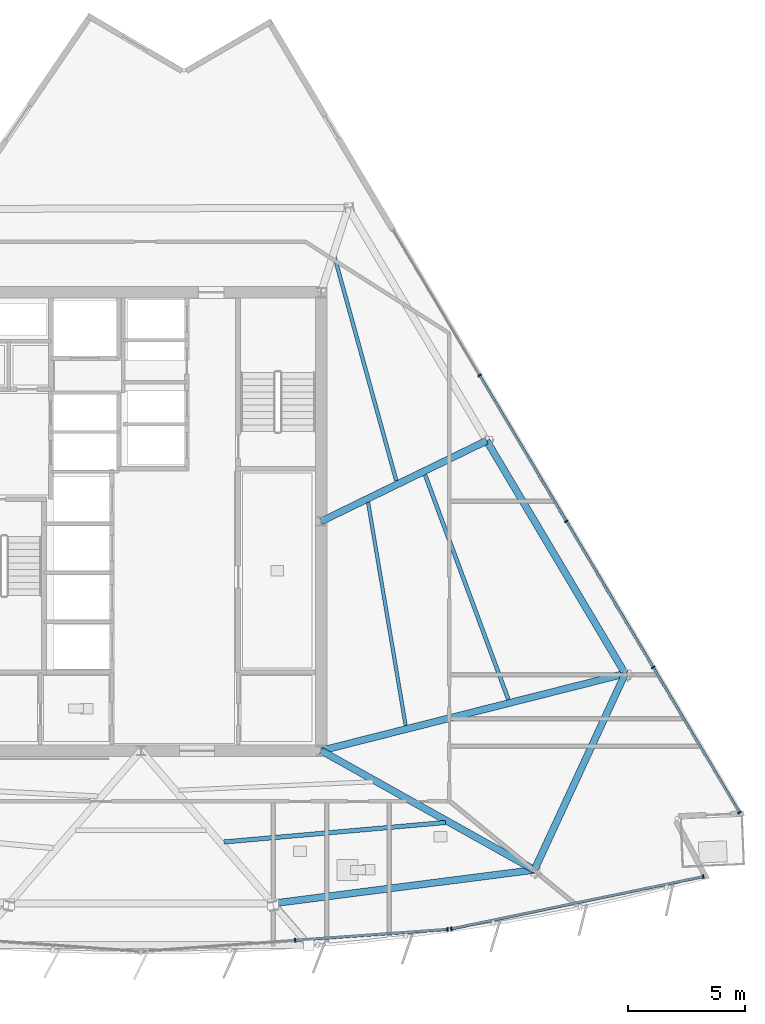
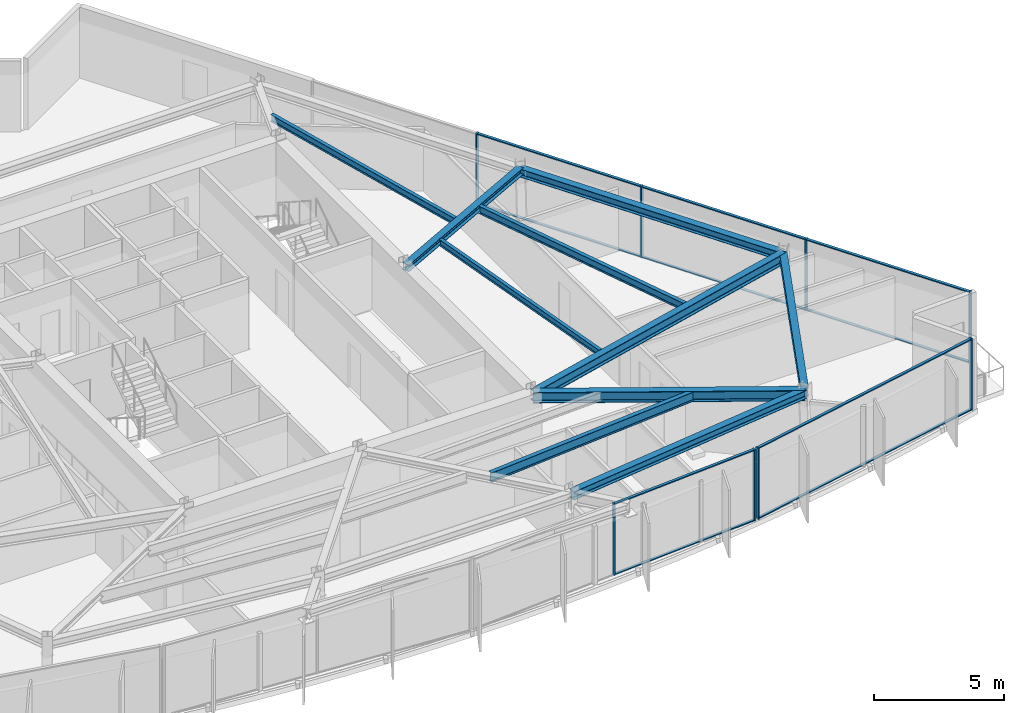
# One storey, part 5 of 15: 18 members, 10 beams, 3 elements without a shape of their own.
"""IFC4 building model written with IfcOpenShell, lengths in metres."""

from ifc_helpers import new_model, si_unit, direction, frame, origin, origin_2d, place, context, subcontext, project, spatial, rectangle, i_section, extrude, material, material_profile, profile_set, type_object, element, aggregate, save


model = new_model("IFC4")

# Units and contexts
model_context = context("Model", 3, precision=1e-05, world=origin(), true_north=direction((0.0, 1.0)))
body_context = subcontext(model_context, "Body", "Model", "MODEL_VIEW")
ifc_project = project(units=[si_unit("LENGTHUNIT", "METRE"), si_unit("AREAUNIT", "SQUARE_METRE"), si_unit("VOLUMEUNIT", "CUBIC_METRE"), si_unit("PLANEANGLEUNIT", "RADIAN"), si_unit("MASSUNIT", "GRAM", prefix="KILO")], contexts=[model_context])

# Site, building, storey
site_placement = place(None, origin())
site = spatial("IfcSite", under=ifc_project, at=site_placement, CompositionType="ELEMENT")
building_placement = place(site_placement, origin())
building = spatial("IfcBuilding", under=site, at=building_placement, Name="Savorim Split Tower", CompositionType="ELEMENT")
storey_placement = place(building_placement, frame((0.0, 0.0, 201.89990234375)))
storey = spatial("IfcBuildingStorey", under=building, at=storey_placement, Name="L53", CompositionType="ELEMENT", Elevation=201.89990234375)

# Beams
ifc_material_1 = material(Name="Steel S355", Category="steel")
ifc_material_profile_1 = material_profile(ifc_material_1, i_section(OverallWidth=0.14990234375, OverallDepth=0.300048828125, WebThickness=0.007080078125, FlangeThickness=0.0107421875, FilletRadius=0.014892578125, at=origin_2d()), Name="IPE 300")
ifc_profile_set_1 = profile_set([ifc_material_profile_1], Name="Steel S355")
beam_type_1 = type_object("IfcBeamType", Name="BM-JST-IPE300", PredefinedType="JOIST", material=ifc_profile_set_1)
beam_1_placement = place(storey_placement, frame((11.314208984375, -8.32080078125, 3.2001953125), z_axis=(-0.166111233531, 0.986107021623, 0.0), x_axis=(-0.986107021623, -0.166111233531, 0.0)))
element("IfcBeam", 1, at=beam_1_placement, inside=storey, type_object=beam_type_1, Name="L53 Secondary Floor Joist JS-08", PredefinedType="JOIST", context=body_context, shape_type="SweptSolid", body=[
    extrude(i_section(OverallWidth=0.14990234375, OverallDepth=0.300048828125, WebThickness=0.007080078125, FlangeThickness=0.0107421875, FilletRadius=0.014892578125, at=origin_2d()), origin(), (0.0, 0.0, 1.0), 9.66357421875),
])
ifc_material_profile_2 = material_profile(ifc_material_1, i_section(OverallWidth=0.159912109375, OverallDepth=0.330078125, WebThickness=0.007568359375, FlangeThickness=0.011474609375, FilletRadius=0.01806640625, at=origin_2d()), Name="IPE 330")
ifc_profile_set_2 = profile_set([ifc_material_profile_2], Name="Steel S355")
beam_type_2 = type_object("IfcBeamType", Name="BM-JST-IPE330", PredefinedType="JOIST", material=ifc_profile_set_2)
beam_2_placement = place(storey_placement, frame((10.914306640625, 2.1416015625, 3.18505859375), z_axis=(-0.265974726867, 0.963980002214, 0.0), x_axis=(-0.963980002214, -0.265974726867, 0.0)))
element("IfcBeam", 2, at=beam_2_placement, inside=storey, type_object=beam_type_2, Name="L53 Secondary Floor Joist JS-07", PredefinedType="JOIST", context=body_context, shape_type="SweptSolid", body=[
    extrude(i_section(OverallWidth=0.159912109375, OverallDepth=0.330078125, WebThickness=0.007568359375, FlangeThickness=0.011474609375, FilletRadius=0.01806640625, at=origin_2d()), origin(), (0.0, 0.0, 1.0), 9.922607421875),
])
ifc_material_profile_3 = material_profile(ifc_material_1, i_section(OverallWidth=0.169921875, OverallDepth=0.360107421875, WebThickness=0.008056640625, FlangeThickness=0.0126953125, FilletRadius=0.01806640625, at=origin_2d()), Name="IPE 360")
ifc_profile_set_3 = profile_set([ifc_material_profile_3], Name="Steel S355")
beam_type_3 = type_object("IfcBeamType", Name="BM-JST-IPE360", PredefinedType="JOIST", material=ifc_profile_set_3)
beam_3_placement = place(storey_placement, frame((15.705810546875, -7.209716796875, 3.170166015625), z_axis=(-0.347763210291, 0.937582396149, 0.0), x_axis=(-0.937582396149, -0.347763210291, 0.0)))
element("IfcBeam", 3, at=beam_3_placement, inside=storey, type_object=beam_type_3, Name="L53 Secondary Floor Joist JS-06", PredefinedType="JOIST", context=body_context, shape_type="SweptSolid", body=[
    extrude(i_section(OverallWidth=0.169921875, OverallDepth=0.360107421875, WebThickness=0.008056640625, FlangeThickness=0.0126953125, FilletRadius=0.01806640625, at=origin_2d()), origin(), (0.0, 0.0, 1.0), 10.238525390625),
])
ifc_material_profile_4 = material_profile(ifc_material_1, i_section(OverallWidth=0.18994140625, OverallDepth=0.449951171875, WebThickness=0.009521484375, FlangeThickness=0.0146484375, FilletRadius=0.02099609375, at=origin_2d()), Name="IPE 450")
ifc_profile_set_4 = profile_set([ifc_material_profile_4], Name="Steel S355")
beam_type_4 = type_object("IfcBeamType", Name="BM-JST-IPE450", PredefinedType="JOIST", material=ifc_profile_set_4)
beam_4_placement = place(storey_placement, frame((3.541748046875, -13.30712890625, 3.125), z_axis=(0.996149860063, 0.087666734263, 0.0), x_axis=(-0.087666734263, 0.996149860063, 0.0)))
element("IfcBeam", 4, at=beam_4_placement, inside=storey, type_object=beam_type_4, Name="L53 Secondary Floor Joist JS-04", PredefinedType="JOIST", context=body_context, shape_type="SweptSolid", body=[
    extrude(i_section(OverallWidth=0.18994140625, OverallDepth=0.449951171875, WebThickness=0.009521484375, FlangeThickness=0.0146484375, FilletRadius=0.02099609375, at=origin_2d()), origin(), (0.0, 0.0, 1.0), 9.507568359375),
])
ifc_material_profile_5 = material_profile(ifc_material_1, i_section(OverallWidth=0.300048828125, OverallDepth=0.320068359375, WebThickness=0.011474609375, FlangeThickness=0.0205078125, FilletRadius=0.027099609375, at=origin_2d()), Name="HEB 320")
ifc_profile_set_5 = profile_set([ifc_material_profile_5], Name="Steel S355")
beam_type_5 = type_object("IfcBeamType", Name="BM-PRI-HEB320", PredefinedType="BEAM", material=ifc_profile_set_5)
beam_5_placement = place(storey_placement, frame((14.780029296875, 3.850830078125, 3.190185546875), z_axis=(-0.898906925602, -0.438139634255, 0.0), x_axis=(0.438139634255, -0.898906925602, 0.0)))
element("IfcBeam", 5, at=beam_5_placement, inside=storey, type_object=beam_type_5, Name="L53 Primary Floor Girder RG-06", PredefinedType="BEAM", context=body_context, shape_type="SweptSolid", body=[
    extrude(i_section(OverallWidth=0.300048828125, OverallDepth=0.320068359375, WebThickness=0.011474609375, FlangeThickness=0.0205078125, FilletRadius=0.027099609375, at=origin_2d()), origin(), (0.0, 0.0, 1.0), 7.876220703125),
])
ifc_material_profile_6 = material_profile(ifc_material_1, i_section(OverallWidth=0.300048828125, OverallDepth=0.5, WebThickness=0.014404296875, FlangeThickness=0.028076171875, FilletRadius=0.027099609375, at=origin_2d()), Name="HEB 500")
ifc_profile_set_6 = profile_set([ifc_material_profile_6], Name="Steel S355")
beam_type_6 = type_object("IfcBeamType", Name="BM-PRI-HEB500", PredefinedType="BEAM", material=ifc_profile_set_6)
beam_6_placement = place(storey_placement, frame((16.8203125, -14.49951171875, 3.10009765625), z_axis=(-0.872823769161, 0.488035519186, 0.0), x_axis=(-0.488035519186, -0.872823769161, 0.0)))
element("IfcBeam", 6, at=beam_6_placement, inside=storey, type_object=beam_type_6, Name="L53 Primary Floor Girder RG-04", PredefinedType="BEAM", context=body_context, shape_type="SweptSolid", body=[
    extrude(i_section(OverallWidth=0.300048828125, OverallDepth=0.5, WebThickness=0.014404296875, FlangeThickness=0.028076171875, FilletRadius=0.027099609375, at=origin_2d()), origin(), (0.0, 0.0, 1.0), 10.44921875),
])
beam_7_placement = place(storey_placement, frame((20.702392578125, -6.109130859375, 3.10009765625), z_axis=(-0.969433859282, -0.245352791867, 0.0), x_axis=(0.245352791867, -0.969433859282, 0.0)))
element("IfcBeam", 7, at=beam_7_placement, inside=storey, type_object=beam_type_6, Name="L53 Primary Floor Girder RG-05", PredefinedType="BEAM", context=body_context, shape_type="SweptSolid", body=[
    extrude(i_section(OverallWidth=0.300048828125, OverallDepth=0.5, WebThickness=0.014404296875, FlangeThickness=0.028076171875, FilletRadius=0.027099609375, at=origin_2d()), origin(), (0.0, 0.0, 1.0), 13.412353515625),
])
ifc_material_profile_7 = material_profile(ifc_material_1, i_section(OverallWidth=0.300048828125, OverallDepth=0.389892578125, WebThickness=0.010986328125, FlangeThickness=0.01904296875, FilletRadius=0.027099609375, at=origin_2d()), Name="HEA 400")
ifc_profile_set_7 = profile_set([ifc_material_profile_7], Name="Steel S355")
beam_type_7 = type_object("IfcBeamType", Name="BM-SPN-HEA400", PredefinedType="SPANDREL", material=ifc_profile_set_7)
beam_8_placement = place(storey_placement, frame((5.63720703125, -15.935302734375, 3.155029296875), z_axis=(0.991858608334, 0.127344026451, 0.0), x_axis=(-0.127344026451, 0.991858608334, 0.0)))
element("IfcBeam", 8, at=beam_8_placement, inside=storey, type_object=beam_type_7, Name="L53 Perimeter Spandrel Beam 3", PredefinedType="SPANDREL", context=body_context, shape_type="SweptSolid", body=[
    extrude(i_section(OverallWidth=0.300048828125, OverallDepth=0.389892578125, WebThickness=0.010986328125, FlangeThickness=0.01904296875, FilletRadius=0.027099609375, at=origin_2d()), origin(), (0.0, 0.0, 1.0), 11.27490234375),
])
beam_9_placement = place(storey_placement, frame((16.8203125, -14.49951171875, 3.155029296875), z_axis=(0.419913739625, 0.907564020482, 0.0), x_axis=(-0.907564020482, 0.419913739625, 0.0)))
element("IfcBeam", 9, at=beam_9_placement, inside=storey, type_object=beam_type_7, Name="L53 Perimeter Spandrel Beam 4", PredefinedType="SPANDREL", context=body_context, shape_type="SweptSolid", body=[
    extrude(i_section(OverallWidth=0.300048828125, OverallDepth=0.389892578125, WebThickness=0.010986328125, FlangeThickness=0.01904296875, FilletRadius=0.027099609375, at=origin_2d()), origin(), (0.0, 0.0, 1.0), 9.244873046875),
])
beam_10_placement = place(storey_placement, frame((20.702392578125, -6.109130859375, 3.155029296875), z_axis=(-0.511089696472, 0.859527383019, 0.0), x_axis=(-0.859527383019, -0.511089696472, 0.0)))
element("IfcBeam", 10, at=beam_10_placement, inside=storey, type_object=beam_type_7, Name="L53 Perimeter Spandrel Beam 5", PredefinedType="SPANDREL", context=body_context, shape_type="SweptSolid", body=[
    extrude(i_section(OverallWidth=0.300048828125, OverallDepth=0.389892578125, WebThickness=0.010986328125, FlangeThickness=0.01904296875, FilletRadius=0.027099609375, at=origin_2d()), origin(), (0.0, 0.0, 1.0), 11.587646484375),
])

# Curtain wall, members
ifc_material_2 = material(Name="Dark Ceramic-Fritted Insulated Glass", Category="glass")
curtain_wall_type = type_object("IfcCurtainWallType", Name="CW-TWR-FRIT-B", PredefinedType="NOTDEFINED", material=ifc_material_2)
curtain_wall_1_placement = place(storey_placement, origin())
curtain_wall_1 = element("IfcCurtainWall", 11, at=curtain_wall_1_placement, inside=storey, type_object=curtain_wall_type, Name="L53 Curtain Wall CW-L53-SF3", PredefinedType="NOTDEFINED")
ifc_material_3 = material(Name="Charcoal Anodised Aluminium", Category="aluminium")
ifc_material_profile_8 = material_profile(ifc_material_3, rectangle(XDim=0.159912109375, YDim=0.06005859375, at=origin_2d()), Name="ALU-M 160x60")
ifc_profile_set_8 = profile_set([ifc_material_profile_8], Name="Charcoal Anodised Aluminium")
member_type_1 = type_object("IfcMemberType", Name="CWM-160x60", PredefinedType="MULLION", material=ifc_profile_set_8)
member_1_placement = place(storey_placement, frame((6.591796875, -17.509033203125, 0.0), z_axis=(0.0, 0.0, 1.0), x_axis=(-0.071561883187, 0.997436161804, 0.0)))
member_1 = element("IfcMember", 12, at=member_1_placement, type_object=member_type_1, Name="CW-03 mullion 2", PredefinedType="MULLION", context=body_context, shape_type="SweptSolid", body=[
    extrude(rectangle(XDim=0.159912109375, YDim=0.06005859375, at=origin_2d()), origin(), (0.0, 0.0, 1.0), 3.35009765625),
])
member_2_placement = place(storey_placement, frame((13.102294921875, -17.0419921875, 0.0), z_axis=(0.0, 0.0, 1.0), x_axis=(-0.071561883187, 0.997436161804, 0.0)))
member_2 = element("IfcMember", 13, at=member_2_placement, type_object=member_type_1, Name="CW-03 mullion 3", PredefinedType="MULLION", context=body_context, shape_type="SweptSolid", body=[
    extrude(rectangle(XDim=0.159912109375, YDim=0.06005859375, at=origin_2d()), origin(), (0.0, 0.0, 1.0), 3.35009765625),
])

curtain_wall_2_placement = place(storey_placement, origin())
curtain_wall_2 = element("IfcCurtainWall", 14, at=curtain_wall_2_placement, inside=storey, type_object=curtain_wall_type, Name="L53 Curtain Wall CW-L53-SF4", PredefinedType="NOTDEFINED")
member_3_placement = place(storey_placement, frame((13.264404296875, -17.01953125, 0.0), z_axis=(0.0, 0.0, 1.0), x_axis=(-0.203207957161, 0.979135601511, 0.0)))
member_3 = element("IfcMember", 15, at=member_3_placement, type_object=member_type_1, Name="CW-03 mullion 1", PredefinedType="MULLION", context=body_context, shape_type="SweptSolid", body=[
    extrude(rectangle(XDim=0.159912109375, YDim=0.06005859375, at=origin_2d()), origin(), (0.0, 0.0, 1.0), 3.35009765625),
])
member_4_placement = place(storey_placement, frame((24.041259765625, -14.782958984375, 0.0), z_axis=(0.0, 0.0, 1.0), x_axis=(-0.203207957161, 0.979135601511, 0.0)))
member_4 = element("IfcMember", 16, at=member_4_placement, type_object=member_type_1, Name="CW-03 mullion 2", PredefinedType="MULLION", context=body_context, shape_type="SweptSolid", body=[
    extrude(rectangle(XDim=0.159912109375, YDim=0.06005859375, at=origin_2d()), origin(), (0.0, 0.0, 1.0), 3.35009765625),
])

curtain_wall_3_placement = place(storey_placement, origin())
curtain_wall_3 = element("IfcCurtainWall", 17, at=curtain_wall_3_placement, inside=storey, type_object=curtain_wall_type, Name="L53 Curtain Wall CW-L53-EAST", PredefinedType="NOTDEFINED")
member_5_placement = place(storey_placement, frame((25.586181640625, -12.04736328125, 0.0), z_axis=(0.0, 0.0, 1.0), x_axis=(-0.859525909056, -0.511092175308, 0.0)))
member_5 = element("IfcMember", 18, at=member_5_placement, type_object=member_type_1, Name="CW-03 mullion 1", PredefinedType="MULLION", context=body_context, shape_type="SweptSolid", body=[
    extrude(rectangle(XDim=0.159912109375, YDim=0.06005859375, at=origin_2d()), origin(), (0.0, 0.0, 1.0), 3.35009765625),
])
member_6_placement = place(storey_placement, frame((21.89208984375, -5.8349609375, 0.0), z_axis=(0.0, 0.0, 1.0), x_axis=(-0.859525909056, -0.511092175308, 0.0)))
member_6 = element("IfcMember", 19, at=member_6_placement, type_object=member_type_1, Name="CW-03 mullion 2", PredefinedType="MULLION", context=body_context, shape_type="SweptSolid", body=[
    extrude(rectangle(XDim=0.159912109375, YDim=0.06005859375, at=origin_2d()), origin(), (0.0, 0.0, 1.0), 3.35009765625),
])
member_7_placement = place(storey_placement, frame((18.1826171875, 0.4033203125, 0.0), z_axis=(0.0, 0.0, 1.0), x_axis=(-0.859525909056, -0.511092175308, 0.0)))
member_7 = element("IfcMember", 20, at=member_7_placement, type_object=member_type_1, Name="CW-03 mullion 3", PredefinedType="MULLION", context=body_context, shape_type="SweptSolid", body=[
    extrude(rectangle(XDim=0.159912109375, YDim=0.06005859375, at=origin_2d()), origin(), (0.0, 0.0, 1.0), 3.35009765625),
])
member_8_placement = place(storey_placement, frame((14.473388671875, 6.641357421875, 0.0), z_axis=(0.0, 0.0, 1.0), x_axis=(-0.859525909056, -0.511092175308, 0.0)))
member_8 = element("IfcMember", 21, at=member_8_placement, type_object=member_type_1, Name="CW-03 mullion 4", PredefinedType="MULLION", context=body_context, shape_type="SweptSolid", body=[
    extrude(rectangle(XDim=0.159912109375, YDim=0.06005859375, at=origin_2d()), origin(), (0.0, 0.0, 1.0), 3.35009765625),
])

# Member
ifc_material_profile_9 = material_profile(ifc_material_3, rectangle(XDim=0.1201171875, YDim=0.050048828125, at=origin_2d()), Name="ALU-T 120x50")
ifc_profile_set_9 = profile_set([ifc_material_profile_9], Name="Charcoal Anodised Aluminium")
member_type_2 = type_object("IfcMemberType", Name="CWT-120x50", PredefinedType="USERDEFINED", material=ifc_profile_set_9)
member_9_placement = place(storey_placement, frame((6.62158203125, -17.507080078125, 0.025146484375), z_axis=(0.997435267849, 0.071574342133, 0.0), x_axis=(-0.071574342133, 0.997435267849, 0.0)))
member_9 = element("IfcMember", 22, at=member_9_placement, type_object=member_type_2, Name="CW-03 transom 2.1", ObjectType="TRANSOM", PredefinedType="USERDEFINED", context=body_context, shape_type="SweptSolid", body=[
    extrude(rectangle(XDim=0.1201171875, YDim=0.050048828125, at=origin_2d()), origin(), (0.0, 0.0, 1.0), 6.46728515625),
])

member_10_placement = place(storey_placement, frame((6.62158203125, -17.507080078125, 3.3251953125), z_axis=(0.997435267849, 0.071574342133, 0.0), x_axis=(-0.071574342133, 0.997435267849, 0.0)))
member_10 = element("IfcMember", 23, at=member_10_placement, type_object=member_type_2, Name="CW-03 transom 2.2", ObjectType="TRANSOM", PredefinedType="USERDEFINED", context=body_context, shape_type="SweptSolid", body=[
    extrude(rectangle(XDim=0.1201171875, YDim=0.050048828125, at=origin_2d()), origin(), (0.0, 0.0, 1.0), 6.46728515625),
])

aggregate(curtain_wall_1, [member_1, member_2, member_9, member_10])

member_11_placement = place(storey_placement, frame((13.293701171875, -17.013427734375, 0.025146484375), z_axis=(0.979137102834, 0.203200723063, 0.0), x_axis=(-0.203200723063, 0.979137102834, 0.0)))
member_11 = element("IfcMember", 24, at=member_11_placement, type_object=member_type_2, Name="CW-03 transom 1.1", ObjectType="TRANSOM", PredefinedType="USERDEFINED", context=body_context, shape_type="SweptSolid", body=[
    extrude(rectangle(XDim=0.1201171875, YDim=0.050048828125, at=origin_2d()), origin(), (0.0, 0.0, 1.0), 10.946533203125),
])

member_12_placement = place(storey_placement, frame((13.293701171875, -17.013427734375, 3.3251953125), z_axis=(0.979137102834, 0.203200723063, 0.0), x_axis=(-0.203200723063, 0.979137102834, 0.0)))
member_12 = element("IfcMember", 25, at=member_12_placement, type_object=member_type_2, Name="CW-03 transom 1.2", ObjectType="TRANSOM", PredefinedType="USERDEFINED", context=body_context, shape_type="SweptSolid", body=[
    extrude(rectangle(XDim=0.1201171875, YDim=0.050048828125, at=origin_2d()), origin(), (0.0, 0.0, 1.0), 10.946533203125),
])

aggregate(curtain_wall_2, [member_3, member_4, member_11, member_12])

member_13_placement = place(storey_placement, frame((25.57080078125, -12.021484375, 0.025146484375), z_axis=(-0.511085594604, 0.859529822047, 0.0), x_axis=(-0.859529822047, -0.511085594604, 0.0)))
member_13 = element("IfcMember", 26, at=member_13_placement, type_object=member_type_2, Name="CW-03 transom 1.1", ObjectType="TRANSOM", PredefinedType="USERDEFINED", context=body_context, shape_type="SweptSolid", body=[
    extrude(rectangle(XDim=0.1201171875, YDim=0.050048828125, at=origin_2d()), origin(), (0.0, 0.0, 1.0), 7.167724609375),
])

member_14_placement = place(storey_placement, frame((25.57080078125, -12.021484375, 3.3251953125), z_axis=(-0.511085594604, 0.859529822047, 0.0), x_axis=(-0.859529822047, -0.511085594604, 0.0)))
member_14 = element("IfcMember", 27, at=member_14_placement, type_object=member_type_2, Name="CW-03 transom 1.2", ObjectType="TRANSOM", PredefinedType="USERDEFINED", context=body_context, shape_type="SweptSolid", body=[
    extrude(rectangle(XDim=0.1201171875, YDim=0.050048828125, at=origin_2d()), origin(), (0.0, 0.0, 1.0), 7.167724609375),
])

member_15_placement = place(storey_placement, frame((21.876708984375, -5.80908203125, 0.025146484375), z_axis=(-0.511099775208, 0.85952138995, 0.0), x_axis=(-0.85952138995, -0.511099775208, 0.0)))
member_15 = element("IfcMember", 28, at=member_15_placement, type_object=member_type_2, Name="CW-03 transom 2.1", ObjectType="TRANSOM", PredefinedType="USERDEFINED", context=body_context, shape_type="SweptSolid", body=[
    extrude(rectangle(XDim=0.1201171875, YDim=0.050048828125, at=origin_2d()), origin(), (0.0, 0.0, 1.0), 7.19775390625),
])

member_16_placement = place(storey_placement, frame((21.876708984375, -5.80908203125, 3.3251953125), z_axis=(-0.511099775208, 0.85952138995, 0.0), x_axis=(-0.85952138995, -0.511099775208, 0.0)))
member_16 = element("IfcMember", 29, at=member_16_placement, type_object=member_type_2, Name="CW-03 transom 2.2", ObjectType="TRANSOM", PredefinedType="USERDEFINED", context=body_context, shape_type="SweptSolid", body=[
    extrude(rectangle(XDim=0.1201171875, YDim=0.050048828125, at=origin_2d()), origin(), (0.0, 0.0, 1.0), 7.19775390625),
])

member_17_placement = place(storey_placement, frame((18.16748046875, 0.428955078125, 0.025146484375), z_axis=(-0.511084874667, 0.859530250129, 0.0), x_axis=(-0.859530250129, -0.511084874667, 0.0)))
member_17 = element("IfcMember", 30, at=member_17_placement, type_object=member_type_2, Name="CW-03 transom 3.1", ObjectType="TRANSOM", PredefinedType="USERDEFINED", context=body_context, shape_type="SweptSolid", body=[
    extrude(rectangle(XDim=0.1201171875, YDim=0.050048828125, at=origin_2d()), origin(), (0.0, 0.0, 1.0), 7.19775390625),
])

member_18_placement = place(storey_placement, frame((18.16748046875, 0.428955078125, 3.3251953125), z_axis=(-0.511084874667, 0.859530250129, 0.0), x_axis=(-0.859530250129, -0.511084874667, 0.0)))
member_18 = element("IfcMember", 31, at=member_18_placement, type_object=member_type_2, Name="CW-03 transom 3.2", ObjectType="TRANSOM", PredefinedType="USERDEFINED", context=body_context, shape_type="SweptSolid", body=[
    extrude(rectangle(XDim=0.1201171875, YDim=0.050048828125, at=origin_2d()), origin(), (0.0, 0.0, 1.0), 7.19775390625),
])

aggregate(curtain_wall_3, [member_5, member_6, member_7, member_8, member_13, member_14, member_15, member_16, member_17, member_18])

save(model, "model.ifc")
